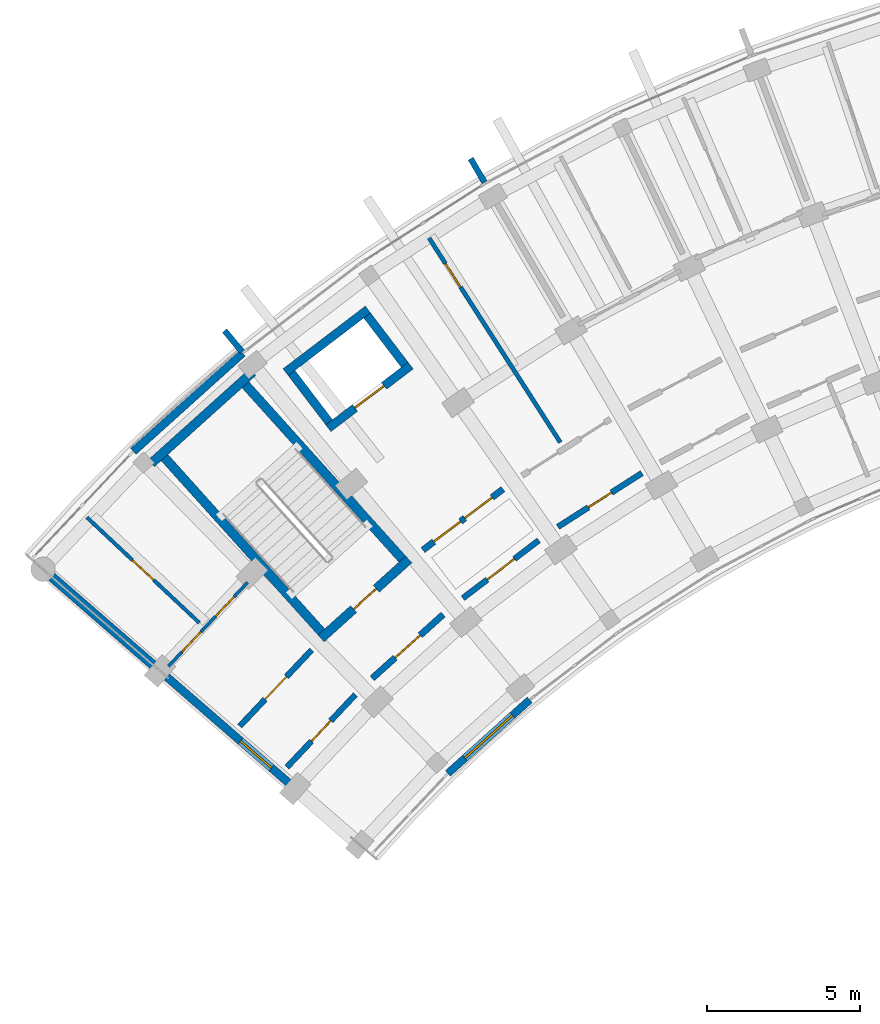
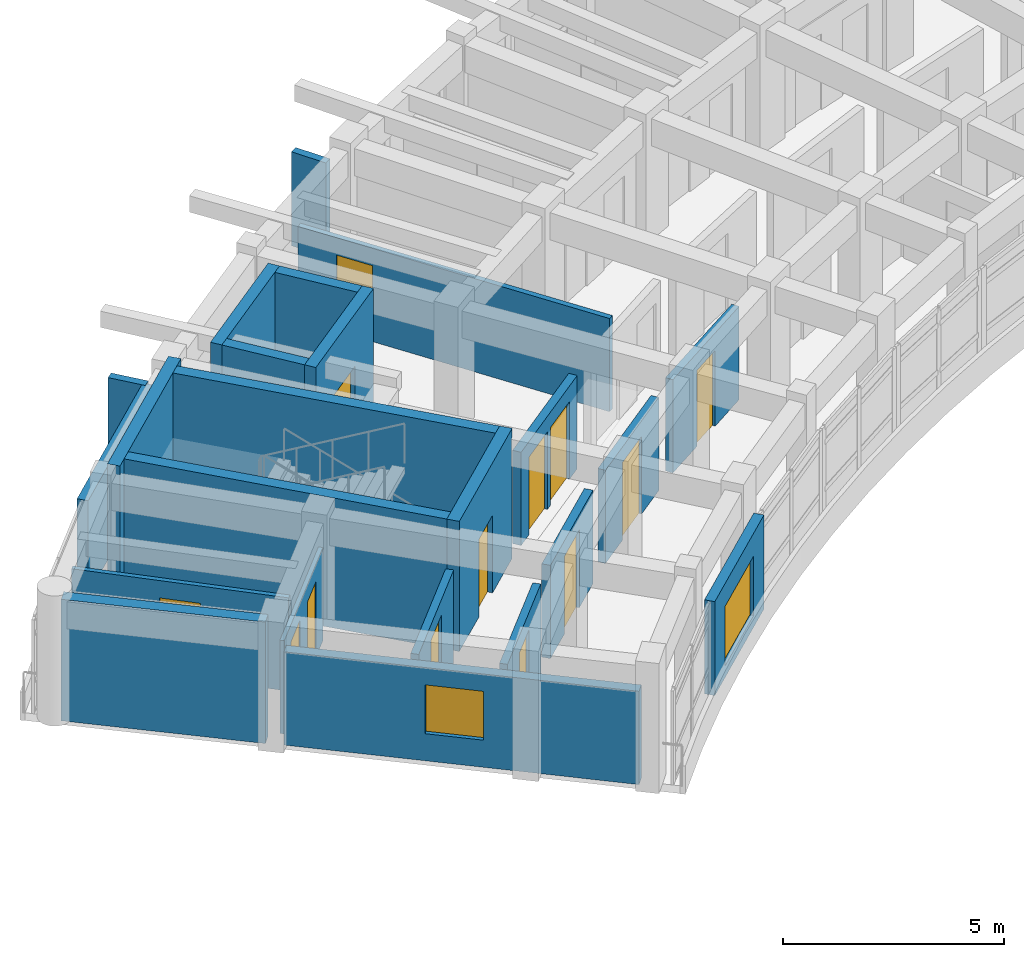
# One storey, part 59 of 83: 23 walls, 13 doors, 2 windows, 15 openings.
"""IFC4 building model written with IfcOpenShell, lengths in metres."""

from ifc_helpers import new_model, si_unit, direction, frame, frame_2d, origin, place, context, subcontext, project, spatial, rectangle, extrude, material, layer, layer_set, type_object, element, fill, save


model = new_model("IFC4")

# Units and contexts
model_context = context("Model", 3, precision=1e-05, world=origin(), true_north=direction((0.0, 1.0)))
body_context = subcontext(model_context, "Body", "Model", "MODEL_VIEW")
ifc_project = project(units=[si_unit("LENGTHUNIT", "METRE"), si_unit("AREAUNIT", "SQUARE_METRE"), si_unit("VOLUMEUNIT", "CUBIC_METRE"), si_unit("PLANEANGLEUNIT", "RADIAN"), si_unit("MASSUNIT", "GRAM", prefix="KILO")], contexts=[model_context])

# Site, building, storey
site_placement = place(None, origin())
site = spatial("IfcSite", under=ifc_project, at=site_placement, CompositionType="ELEMENT")
building_placement = place(site_placement, origin())
building = spatial("IfcBuilding", under=site, at=building_placement, Name="Zimvara Arc Housing Community", CompositionType="ELEMENT")
storey_placement = place(building_placement, frame((0.0, 0.0, 4.5)))
storey = spatial("IfcBuildingStorey", under=building, at=storey_placement, Name="L01", CompositionType="ELEMENT", Elevation=4.5)

# Wall
ifc_material_1 = material(Name="Board-Marked Fair-Faced Concrete C35/45", Category="concrete")
ifc_layer_1 = layer(ifc_material_1, 0.264892578125)
ifc_layer_set_1 = layer_set([ifc_layer_1], Name="Board-Marked Fair-Faced Concrete C35/45")
wall_type_1 = type_object("IfcWallType", Name="EWL-CONC-265", PredefinedType="SOLIDWALL", material=ifc_layer_set_1)
wall_1_placement = place(storey_placement, frame((3.528076171875, 86.996826171875, 0.0), z_axis=(0.0, 0.0, 1.0), x_axis=(0.743387539862, 0.668860946369, 0.0)))
element("IfcWall", 1, at=wall_1_placement, inside=storey, type_object=wall_type_1, Name="ewall:blkA:L01:out:b1", PredefinedType="SOLIDWALL", context=body_context, shape_type="SweptSolid", body=[
    extrude(rectangle(XDim=4.80908203125, YDim=0.264892578125, at=frame_2d((2.404541015625, 0.0))), origin(), (0.0, 0.0, 1.0), 2.60009765625),
])

# Wall, opening, window
wall_2_placement = place(storey_placement, frame((10.766357421875, 74.2587890625, 0.0), z_axis=(0.0, 0.0, 1.0), x_axis=(-0.754717680958, 0.656049710044, 0.0)))
wall_2 = element("IfcWall", 2, at=wall_2_placement, inside=storey, type_object=wall_type_1, Name="ewall:blkA:L01:g0", PredefinedType="SOLIDWALL", context=body_context, shape_type="SweptSolid", body=[
    extrude(rectangle(XDim=8.199951171875, YDim=0.264892578125, at=frame_2d((4.10009765625, 0.0))), origin(), (0.0, 0.0, 1.0), 2.580078125),
])
opening_1_placement = place(wall_2_placement, frame((3.590087890625, 0.0, 0.75)))
opening_1 = element("IfcOpeningElement", 3, at=opening_1_placement, cuts=wall_2, Name="Opening W12", PredefinedType="OPENING", context=body_context, shape_type="SweptSolid", body=[
    extrude(rectangle(XDim=1.35009765625, YDim=1.35009765625, at=frame_2d((0.675048828125, 0.675048828125))), frame((0.0, 0.142333984375, 0.0), z_axis=(0.0, -1.0, 0.0), x_axis=(1.0, 0.0, 0.0)), (0.0, 0.0, 1.0), 0.284912109375),
])
ifc_material_2 = material(Name="Solar Control Low-E Double Glazing", Category="glass")
window_type_1 = type_object("IfcWindowType", Name="WIN-RES-1350x1350", PartitioningType="DOUBLE_PANEL_VERTICAL", PredefinedType="WINDOW", material=ifc_material_2)
window_1_placement = place(opening_1_placement, origin())
window_1 = element("IfcWindow", 4, at=window_1_placement, inside=storey, type_object=window_type_1, Name="win:blkA:L01:g0:w", OverallHeight=1.35009765625, OverallWidth=1.35009765625, PartitioningType="DOUBLE_PANEL_VERTICAL", PredefinedType="WINDOW", context=body_context, shape_type="SweptSolid", body=[
    extrude(rectangle(XDim=1.35009765625, YDim=1.35009765625, at=frame_2d((0.675048828125, 0.675048828125))), frame((0.0, 0.030029296875, 0.0), z_axis=(0.0, -1.0, 0.0), x_axis=(1.0, 0.0, 0.0)), (0.0, 0.0, 1.0), 0.06005859375),
])
fill(opening_1, window_1)

# Walls
ifc_material_3 = material(Name="Board-Marked Fair-Faced Concrete C35/45", Category="concrete")
ifc_layer_2 = layer(ifc_material_3, 0.195068359375)
ifc_layer_set_2 = layer_set([ifc_layer_2], Name="Board-Marked Fair-Faced Concrete C35/45")
wall_type_2 = type_object("IfcWallType", Name="EWL-PARA-195", PredefinedType="PARAPET", material=ifc_layer_set_2)
wall_3_placement = place(storey_placement, frame((7.09228515625, 90.25732421875, 0.0), z_axis=(0.0, 0.0, 1.0), x_axis=(-0.637967316825, 0.770063440674, 0.0)))
element("IfcWall", 5, at=wall_3_placement, inside=storey, type_object=wall_type_2, Name="finwall:blkA:L01:out:b2", PredefinedType="PARAPET", context=body_context, shape_type="SweptSolid", body=[
    extrude(rectangle(XDim=0.900146484375, YDim=0.195068359375, at=frame_2d((0.4501953125, 0.0))), origin(), (0.0, 0.0, 1.0), 2.60009765625),
])
wall_4_placement = place(storey_placement, frame((15.038818359375, 95.8134765625, 0.0), z_axis=(0.0, 0.0, 1.0), x_axis=(-0.504326383773, 0.863513114336, 0.0)))
element("IfcWall", 6, at=wall_4_placement, inside=storey, type_object=wall_type_2, Name="finwall:blkA:L01:out:b4", PredefinedType="PARAPET", context=body_context, shape_type="SweptSolid", body=[
    extrude(rectangle(XDim=0.89990234375, YDim=0.195068359375, at=frame_2d((0.449951171875, 0.0))), origin(), (0.0, 0.0, 1.0), 2.60009765625),
])

# Wall, opening, window
ifc_material_4 = material(Name="Pigmented Fair-Faced Concrete C35/45", Category="concrete")
ifc_layer_3 = layer(ifc_material_4, 0.2451171875)
ifc_layer_set_3 = layer_set([ifc_layer_3], Name="Pigmented Fair-Faced Concrete C35/45")
wall_type_3 = type_object("IfcWallType", Name="EWL-PIGM-245", PredefinedType="SOLIDWALL", material=ifc_layer_set_3)
wall_5_placement = place(storey_placement, frame((13.84033203125, 76.436767578125, 0.0), z_axis=(0.0, 0.0, 1.0), x_axis=(0.743385092197, 0.668863666751, 0.0)))
wall_5 = element("IfcWall", 7, at=wall_5_placement, inside=storey, type_object=wall_type_3, Name="ewall:blkA:L01:in:b1", PredefinedType="SOLIDWALL", context=body_context, shape_type="SweptSolid", body=[
    extrude(rectangle(XDim=3.603759765625, YDim=0.2451171875, at=frame_2d((1.8017578125, 0.0))), origin(), (0.0, 0.0, 1.0), 2.60009765625),
])
opening_2_placement = place(wall_5_placement, frame((0.751708984375, 0.0, 0.320068359375)))
opening_2 = element("IfcOpeningElement", 8, at=opening_2_placement, cuts=wall_5, Name="Opening W09", PredefinedType="OPENING", context=body_context, shape_type="SweptSolid", body=[
    extrude(rectangle(XDim=2.10009765625, YDim=1.64990234375, at=frame_2d((1.050048828125, 0.824951171875))), frame((0.0, 0.132568359375, 0.0), z_axis=(0.0, -1.0, 0.0), x_axis=(1.0, 0.0, 0.0)), (0.0, 0.0, 1.0), 0.26513671875),
])
ifc_material_5 = material(Name="Solar Control Low-E Double Glazing", Category="glass")
window_type_2 = type_object("IfcWindowType", Name="WIN-RES-2100x1650", PartitioningType="TRIPLE_PANEL_VERTICAL", PredefinedType="WINDOW", material=ifc_material_5)
window_2_placement = place(opening_2_placement, origin())
window_2 = element("IfcWindow", 9, at=window_2_placement, inside=storey, type_object=window_type_2, Name="win:blkA:L01:in:b1", OverallHeight=1.64990234375, OverallWidth=2.10009765625, PartitioningType="TRIPLE_PANEL_VERTICAL", PredefinedType="WINDOW", context=body_context, shape_type="SweptSolid", body=[
    extrude(rectangle(XDim=2.10009765625, YDim=1.64990234375, at=frame_2d((1.050048828125, 0.824951171875))), frame((0.0, 0.030029296875, 0.0), z_axis=(0.0, -1.0, 0.0), x_axis=(1.0, 0.0, 0.0)), (0.0, 0.0, 1.0), 0.06005859375),
])
fill(opening_2, window_2)

# Wall, opening, door
ifc_material_6 = material(Name="Concrete C35/45", Category="concrete")
ifc_layer_4 = layer(ifc_material_6, 0.2099609375)
ifc_layer_set_4 = layer_set([ifc_layer_4], Name="Concrete C35/45")
wall_type_4 = type_object("IfcWallType", Name="IWL-CCF-210", PredefinedType="SOLIDWALL", material=ifc_layer_set_4)
wall_6_placement = place(storey_placement, frame((11.357177734375, 79.5517578125, 0.0), z_axis=(0.0, 0.0, 1.0), x_axis=(0.743387266925, 0.668861249718, 0.0)))
wall_6 = element("IfcWall", 10, at=wall_6_placement, inside=storey, type_object=wall_type_4, Name="iwall:blkA:L01:ccf_div:b1", PredefinedType="SOLIDWALL", context=body_context, shape_type="SweptSolid", body=[
    extrude(rectangle(XDim=3.12841796875, YDim=0.2099609375, at=frame_2d((1.564208984375, 0.0))), origin(), (0.0, 0.0, 1.0), 2.580078125),
])
opening_3_placement = place(wall_6_placement, frame((1.014404296875, 0.0, 0.0)))
opening_3 = element("IfcOpeningElement", 11, at=opening_3_placement, cuts=wall_6, Name="Opening FD-CCF1", PredefinedType="OPENING", context=body_context, shape_type="SweptSolid", body=[
    extrude(rectangle(XDim=1.10009765625, YDim=2.14990234375, at=frame_2d((0.550048828125, 1.074951171875))), frame((0.0, 0.114990234375, 0.0), z_axis=(0.0, -1.0, 0.0), x_axis=(1.0, 0.0, 0.0)), (0.0, 0.0, 1.0), 0.22998046875),
])
ifc_material_7 = material(Name="Anodised Aluminium AW-6063", Category="aluminium")
door_type_1 = type_object("IfcDoorType", Name="IDR-CCF-1100x2150", OperationType="NOTDEFINED", PredefinedType="DOOR", material=ifc_material_7)
door_1_placement = place(opening_3_placement, origin())
door_1 = element("IfcDoor", 12, at=door_1_placement, inside=storey, type_object=door_type_1, Name="idoor:blkA:L01:ccf_in:b1", OperationType="SINGLE_SWING_RIGHT", OverallHeight=2.14990234375, OverallWidth=1.10009765625, PredefinedType="DOOR", context=body_context, shape_type="SweptSolid", body=[
    extrude(rectangle(XDim=1.10009765625, YDim=2.14990234375, at=frame_2d((0.550048828125, 1.074951171875))), frame((0.0, 0.02490234375, 0.0), z_axis=(0.0, -1.0, 0.0), x_axis=(1.0, 0.0, 0.0)), (0.0, 0.0, 1.0), 0.050048828125),
])
fill(opening_3, door_1)

# Wall, openings, doors
wall_7_placement = place(storey_placement, frame((13.021240234375, 83.758544921875, 0.0), z_axis=(0.0, 0.0, 1.0), x_axis=(0.795498026433, 0.605956178235, 0.0)))
wall_7 = element("IfcWall", 13, at=wall_7_placement, inside=storey, type_object=wall_type_4, Name="iwall:blkA:L01:ll_div:b2", PredefinedType="SOLIDWALL", context=body_context, shape_type="SweptSolid", body=[
    extrude(rectangle(XDim=3.296142578125, YDim=0.2099609375, at=frame_2d((1.64794921875, 0.0))), origin(), (0.0, 0.0, 1.0), 2.580078125),
])
opening_4_placement = place(wall_7_placement, frame((0.449951171875, 0.0, 0.0)))
opening_4 = element("IfcOpeningElement", 14, at=opening_4_placement, cuts=wall_7, Name="Opening FD-CCF1", PredefinedType="OPENING", context=body_context, shape_type="SweptSolid", body=[
    extrude(rectangle(XDim=1.10009765625, YDim=2.14990234375, at=frame_2d((0.550048828125, 1.074951171875))), frame((0.0, 0.114990234375, 0.0), z_axis=(0.0, -1.0, 0.0), x_axis=(1.0, 0.0, 0.0)), (0.0, 0.0, 1.0), 0.22998046875),
])
opening_5_placement = place(wall_7_placement, frame((1.72607421875, 0.0, 0.0)))
opening_5 = element("IfcOpeningElement", 15, at=opening_5_placement, cuts=wall_7, Name="Opening D07", PredefinedType="OPENING", context=body_context, shape_type="SweptSolid", body=[
    extrude(rectangle(XDim=1.1201171875, YDim=2.14990234375, at=frame_2d((0.56005859375, 1.074951171875))), frame((0.0, 0.114990234375, 0.0), z_axis=(0.0, -1.0, 0.0), x_axis=(1.0, 0.0, 0.0)), (0.0, 0.0, 1.0), 0.22998046875),
])
ifc_material_8 = material(Name="Mozambican Hardwood", Category="wood")
door_type_2 = type_object("IfcDoorType", Name="IDR-AMN-1120x2150", OperationType="NOTDEFINED", PredefinedType="DOOR", material=ifc_material_8)
door_2_placement = place(opening_5_placement, origin())
door_2 = element("IfcDoor", 16, at=door_2_placement, inside=storey, type_object=door_type_2, Name="idoor:blkA:L01:rs_in:b2", OperationType="SINGLE_SWING_RIGHT", OverallHeight=2.14990234375, OverallWidth=1.1201171875, PredefinedType="DOOR", context=body_context, shape_type="SweptSolid", body=[
    extrude(rectangle(XDim=1.1201171875, YDim=2.14990234375, at=frame_2d((0.56005859375, 1.074951171875))), frame((0.0, 0.02490234375, 0.0), z_axis=(0.0, -1.0, 0.0), x_axis=(1.0, 0.0, 0.0)), (0.0, 0.0, 1.0), 0.050048828125),
])
fill(opening_5, door_2)
door_3_placement = place(opening_4_placement, origin())
door_3 = element("IfcDoor", 17, at=door_3_placement, inside=storey, type_object=door_type_1, Name="idoor:blkA:L01:ll_in:b2", OperationType="SINGLE_SWING_LEFT", OverallHeight=2.14990234375, OverallWidth=1.10009765625, PredefinedType="DOOR", context=body_context, shape_type="SweptSolid", body=[
    extrude(rectangle(XDim=1.10009765625, YDim=2.14990234375, at=frame_2d((0.550048828125, 1.074951171875))), frame((0.0, 0.02490234375, 0.0), z_axis=(0.0, -1.0, 0.0), x_axis=(1.0, 0.0, 0.0)), (0.0, 0.0, 1.0), 0.050048828125),
])
fill(opening_4, door_3)

# Wall, opening, door
ifc_material_9 = material(Name="Concrete C35/45", Category="concrete")
ifc_layer_5 = layer(ifc_material_9, 0.18994140625)
ifc_layer_set_5 = layer_set([ifc_layer_5], Name="Concrete C35/45")
wall_type_5 = type_object("IfcWallType", Name="IWL-CORR-190", PredefinedType="SOLIDWALL", material=ifc_layer_set_5)
wall_8_placement = place(storey_placement, frame((7.01416015625, 77.98388671875, 0.0), z_axis=(0.0, 0.0, 1.0), x_axis=(0.686310507227, 0.727308660522, 0.0)))
wall_8 = element("IfcWall", 18, at=wall_8_placement, inside=storey, type_object=wall_type_5, Name="iwall:blkA:L01:corr_out:b0", PredefinedType="SOLIDWALL", context=body_context, shape_type="SweptSolid", body=[
    extrude(rectangle(XDim=3.43603515625, YDim=0.18994140625, at=frame_2d((1.718017578125, 0.0))), origin(), (0.0, 0.0, 1.0), 2.580078125),
])
opening_6_placement = place(wall_8_placement, frame((1.2080078125, 0.0, 0.0)))
opening_6 = element("IfcOpeningElement", 19, at=opening_6_placement, cuts=wall_8, Name="Opening FD-FL2", PredefinedType="OPENING", context=body_context, shape_type="SweptSolid", body=[
    extrude(rectangle(XDim=1.02001953125, YDim=2.14990234375, at=frame_2d((0.510009765625, 1.074951171875))), frame((0.0, 0.10498046875, 0.0), z_axis=(0.0, -1.0, 0.0), x_axis=(1.0, 0.0, 0.0)), (0.0, 0.0, 1.0), 0.2099609375),
])
ifc_material_10 = material(Name="Mozambican Hardwood", Category="wood")
door_type_3 = type_object("IfcDoorType", Name="IDR-FLAT-1020x2150", OperationType="NOTDEFINED", PredefinedType="DOOR", material=ifc_material_10)
door_4_placement = place(opening_6_placement, origin())
door_4 = element("IfcDoor", 20, at=door_4_placement, inside=storey, type_object=door_type_3, Name="idoor:blkA:L01:flat:b0", OperationType="SINGLE_SWING_LEFT", OverallHeight=2.14990234375, OverallWidth=1.02001953125, PredefinedType="DOOR", context=body_context, shape_type="SweptSolid", body=[
    extrude(rectangle(XDim=1.02001953125, YDim=2.14990234375, at=frame_2d((0.510009765625, 1.074951171875))), frame((0.0, 0.02490234375, 0.0), z_axis=(0.0, -1.0, 0.0), x_axis=(1.0, 0.0, 0.0)), (0.0, 0.0, 1.0), 0.050048828125),
])
fill(opening_6, door_4)

wall_9_placement = place(storey_placement, frame((8.561279296875, 76.638916015625, 0.0), z_axis=(0.0, 0.0, 1.0), x_axis=(0.686307658735, 0.727311348434, 0.0)))
wall_9 = element("IfcWall", 21, at=wall_9_placement, inside=storey, type_object=wall_type_5, Name="iwall:blkA:L01:corr_in:b0", PredefinedType="SOLIDWALL", context=body_context, shape_type="SweptSolid", body=[
    extrude(rectangle(XDim=3.268798828125, YDim=0.18994140625, at=frame_2d((1.63427734375, 0.0))), origin(), (0.0, 0.0, 1.0), 2.580078125),
])
opening_7_placement = place(wall_9_placement, frame((1.17431640625, 0.0, 0.0)))
opening_7 = element("IfcOpeningElement", 22, at=opening_7_placement, cuts=wall_9, Name="Opening D02", PredefinedType="OPENING", context=body_context, shape_type="SweptSolid", body=[
    extrude(rectangle(XDim=0.919921875, YDim=2.10009765625, at=frame_2d((0.4599609375, 1.050048828125))), frame((0.0, 0.10498046875, 0.0), z_axis=(0.0, -1.0, 0.0), x_axis=(1.0, 0.0, 0.0)), (0.0, 0.0, 1.0), 0.2099609375),
])
ifc_material_11 = material(Name="Mozambican Hardwood", Category="wood")
door_type_4 = type_object("IfcDoorType", Name="IDR-RM-0920x2100", OperationType="NOTDEFINED", PredefinedType="DOOR", material=ifc_material_11)
door_5_placement = place(opening_7_placement, origin())
door_5 = element("IfcDoor", 23, at=door_5_placement, inside=storey, type_object=door_type_4, Name="idoor:blkA:L01:in_rm:b0", OperationType="SINGLE_SWING_RIGHT", OverallHeight=2.10009765625, OverallWidth=0.919921875, PredefinedType="DOOR", context=body_context, shape_type="SweptSolid", body=[
    extrude(rectangle(XDim=0.919921875, YDim=2.10009765625, at=frame_2d((0.4599609375, 1.050048828125))), frame((0.0, 0.02490234375, 0.0), z_axis=(0.0, -1.0, 0.0), x_axis=(1.0, 0.0, 0.0)), (0.0, 0.0, 1.0), 0.050048828125),
])
fill(opening_7, door_5)

wall_10_placement = place(storey_placement, frame((14.3291015625, 82.179931640625, 0.0), z_axis=(0.0, 0.0, 1.0), x_axis=(0.795501577908, 0.605951515838, 0.0)))
wall_10 = element("IfcWall", 24, at=wall_10_placement, inside=storey, type_object=wall_type_5, Name="iwall:blkA:L01:ra_div:b2", PredefinedType="SOLIDWALL", context=body_context, shape_type="SweptSolid", body=[
    extrude(rectangle(XDim=3.128662109375, YDim=0.18994140625, at=frame_2d((1.564453125, 0.0))), origin(), (0.0, 0.0, 1.0), 2.580078125),
])
opening_8_placement = place(wall_10_placement, frame((1.00439453125, 0.0, 0.0)))
opening_8 = element("IfcOpeningElement", 25, at=opening_8_placement, cuts=wall_10, Name="Opening D07", PredefinedType="OPENING", context=body_context, shape_type="SweptSolid", body=[
    extrude(rectangle(XDim=1.1201171875, YDim=2.14990234375, at=frame_2d((0.56005859375, 1.074951171875))), frame((0.0, 0.10498046875, 0.0), z_axis=(0.0, -1.0, 0.0), x_axis=(1.0, 0.0, 0.0)), (0.0, 0.0, 1.0), 0.2099609375),
])
door_6_placement = place(opening_8_placement, origin())
door_6 = element("IfcDoor", 26, at=door_6_placement, inside=storey, type_object=door_type_2, Name="idoor:blkA:L01:ra_d:b2", OperationType="SINGLE_SWING_LEFT", OverallHeight=2.14990234375, OverallWidth=1.1201171875, PredefinedType="DOOR", context=body_context, shape_type="SweptSolid", body=[
    extrude(rectangle(XDim=1.1201171875, YDim=2.14990234375, at=frame_2d((0.56005859375, 1.074951171875))), frame((0.0, 0.02490234375, 0.0), z_axis=(0.0, -1.0, 0.0), x_axis=(1.0, 0.0, 0.0)), (0.0, 0.0, 1.0), 0.050048828125),
])
fill(opening_8, door_6)

wall_11_placement = place(storey_placement, frame((17.44677734375, 84.518798828125, 0.0), z_axis=(0.0, 0.0, 1.0), x_axis=(0.842225276846, 0.539125758095, 0.0)))
wall_11 = element("IfcWall", 27, at=wall_11_placement, inside=storey, type_object=wall_type_5, Name="iwall:blkA:L01:corr_in:b3", PredefinedType="SOLIDWALL", context=body_context, shape_type="SweptSolid", body=[
    extrude(rectangle(XDim=3.2685546875, YDim=0.18994140625, at=frame_2d((1.63427734375, 0.0))), origin(), (0.0, 0.0, 1.0), 2.580078125),
])
opening_9_placement = place(wall_11_placement, frame((1.184326171875, 0.0, 0.0)))
opening_9 = element("IfcOpeningElement", 28, at=opening_9_placement, cuts=wall_11, Name="Opening D01", PredefinedType="OPENING", context=body_context, shape_type="SweptSolid", body=[
    extrude(rectangle(XDim=0.89990234375, YDim=2.10009765625, at=frame_2d((0.449951171875, 1.050048828125))), frame((0.0, 0.10498046875, 0.0), z_axis=(0.0, -1.0, 0.0), x_axis=(1.0, 0.0, 0.0)), (0.0, 0.0, 1.0), 0.2099609375),
])
ifc_material_12 = material(Name="Mozambican Hardwood", Category="wood")
door_type_5 = type_object("IfcDoorType", Name="IDR-RM-0900x2100", OperationType="NOTDEFINED", PredefinedType="DOOR", material=ifc_material_12)
door_7_placement = place(opening_9_placement, origin())
door_7 = element("IfcDoor", 29, at=door_7_placement, inside=storey, type_object=door_type_5, Name="idoor:blkA:L01:in_rm:b3", OperationType="SINGLE_SWING_RIGHT", OverallHeight=2.10009765625, OverallWidth=0.89990234375, PredefinedType="DOOR", context=body_context, shape_type="SweptSolid", body=[
    extrude(rectangle(XDim=0.89990234375, YDim=2.10009765625, at=frame_2d((0.449951171875, 1.050048828125))), frame((0.0, 0.02490234375, 0.0), z_axis=(0.0, -1.0, 0.0), x_axis=(1.0, 0.0, 0.0)), (0.0, 0.0, 1.0), 0.050048828125),
])
fill(opening_9, door_7)

# Wall, openings, doors
ifc_material_13 = material(Name="Painted Acoustic Plasterboard")
ifc_layer_6 = layer(ifc_material_13, 0.10498046875)
ifc_layer_set_6 = layer_set([ifc_layer_6], Name="Painted Acoustic Plasterboard")
wall_type_6 = type_object("IfcWallType", Name="IWL-PART-105", PredefinedType="PARTITIONING", material=ifc_layer_set_6)
wall_12_placement = place(storey_placement, frame((4.677978515625, 79.948486328125, 0.0), z_axis=(0.0, 0.0, 1.0), x_axis=(0.686331812627, 0.72728855551, 0.0)))
wall_12 = element("IfcWall", 30, at=wall_12_placement, inside=storey, type_object=wall_type_6, Name="iwall:blkA:L01:srv:b0", PredefinedType="PARTITIONING", context=body_context, shape_type="SweptSolid", body=[
    extrude(rectangle(XDim=3.78515625, YDim=0.10498046875, at=frame_2d((1.892578125, 0.0))), origin(), (0.0, 0.0, 1.0), 2.580078125),
])
opening_10_placement = place(wall_12_placement, frame((0.64990234375, 0.0, 0.0)))
opening_10 = element("IfcOpeningElement", 31, at=opening_10_placement, cuts=wall_12, Name="Opening D01", PredefinedType="OPENING", context=body_context, shape_type="SweptSolid", body=[
    extrude(rectangle(XDim=0.89990234375, YDim=2.10009765625, at=frame_2d((0.449951171875, 1.050048828125))), frame((0.0, 0.0625, 0.0), z_axis=(0.0, -1.0, 0.0), x_axis=(1.0, 0.0, 0.0)), (0.0, 0.0, 1.0), 0.125),
])
opening_11_placement = place(wall_12_placement, frame((2.255126953125, 0.0, 0.0)))
opening_11 = element("IfcOpeningElement", 32, at=opening_11_placement, cuts=wall_12, Name="Opening D05", PredefinedType="OPENING", context=body_context, shape_type="SweptSolid", body=[
    extrude(rectangle(XDim=0.8798828125, YDim=2.10009765625, at=frame_2d((0.43994140625, 1.050048828125))), frame((0.0, 0.0625, 0.0), z_axis=(0.0, -1.0, 0.0), x_axis=(1.0, 0.0, 0.0)), (0.0, 0.0, 1.0), 0.125),
])
door_8_placement = place(opening_10_placement, origin())
door_8 = element("IfcDoor", 33, at=door_8_placement, inside=storey, type_object=door_type_5, Name="idoor:blkA:L01:kit_liv:b0", OperationType="SINGLE_SWING_LEFT", OverallHeight=2.10009765625, OverallWidth=0.89990234375, PredefinedType="DOOR", context=body_context, shape_type="SweptSolid", body=[
    extrude(rectangle(XDim=0.89990234375, YDim=2.10009765625, at=frame_2d((0.449951171875, 1.050048828125))), frame((0.0, 0.02490234375, 0.0), z_axis=(0.0, -1.0, 0.0), x_axis=(1.0, 0.0, 0.0)), (0.0, 0.0, 1.0), 0.050048828125),
])
fill(opening_10, door_8)
ifc_material_14 = material(Name="Mozambican Hardwood", Category="wood")
door_type_6 = type_object("IfcDoorType", Name="IDR-WC-0880x2100", OperationType="NOTDEFINED", PredefinedType="DOOR", material=ifc_material_14)
door_9_placement = place(opening_11_placement, origin())
door_9 = element("IfcDoor", 34, at=door_9_placement, inside=storey, type_object=door_type_6, Name="idoor:blkA:L01:bath_d:b0", OperationType="SINGLE_SWING_RIGHT", OverallHeight=2.10009765625, OverallWidth=0.8798828125, PredefinedType="DOOR", context=body_context, shape_type="SweptSolid", body=[
    extrude(rectangle(XDim=0.8798828125, YDim=2.10009765625, at=frame_2d((0.43994140625, 1.050048828125))), frame((0.0, 0.02490234375, 0.0), z_axis=(0.0, -1.0, 0.0), x_axis=(1.0, 0.0, 0.0)), (0.0, 0.0, 1.0), 0.050048828125),
])
fill(opening_11, door_9)

# Wall, opening, door
ifc_material_15 = material(Name="Painted Acoustic Plasterboard")
ifc_layer_7 = layer(ifc_material_15, 0.1201171875)
ifc_layer_set_7 = layer_set([ifc_layer_7], Name="Painted Acoustic Plasterboard")
wall_type_7 = type_object("IfcWallType", Name="IWL-PART-120", PredefinedType="PARTITIONING", material=ifc_layer_set_7)
wall_13_placement = place(storey_placement, frame((5.6875, 81.37451171875, 0.0), z_axis=(0.0, 0.0, 1.0), x_axis=(-0.72936983679, 0.684119610288, 0.0)))
wall_13 = element("IfcWall", 35, at=wall_13_placement, inside=storey, type_object=wall_type_7, Name="iwall:blkA:L01:bed_div:b0", PredefinedType="PARTITIONING", context=body_context, shape_type="SweptSolid", body=[
    extrude(rectangle(XDim=5.050048828125, YDim=0.1201171875, at=frame_2d((2.52490234375, 0.0))), origin(), (0.0, 0.0, 1.0), 2.580078125),
])
opening_12_placement = place(wall_13_placement, frame((2.044921875, 0.0, 0.0)))
opening_12 = element("IfcOpeningElement", 36, at=opening_12_placement, cuts=wall_13, Name="Opening D04", PredefinedType="OPENING", context=body_context, shape_type="SweptSolid", body=[
    extrude(rectangle(XDim=0.9599609375, YDim=2.10009765625, at=frame_2d((0.47998046875, 1.050048828125))), frame((0.0, 0.070068359375, 0.0), z_axis=(0.0, -1.0, 0.0), x_axis=(1.0, 0.0, 0.0)), (0.0, 0.0, 1.0), 0.14013671875),
])
ifc_material_16 = material(Name="Mozambican Hardwood", Category="wood")
door_type_7 = type_object("IfcDoorType", Name="IDR-RM-0960x2100", OperationType="NOTDEFINED", PredefinedType="DOOR", material=ifc_material_16)
door_10_placement = place(opening_12_placement, origin())
door_10 = element("IfcDoor", 37, at=door_10_placement, inside=storey, type_object=door_type_7, Name="idoor:blkA:L01:bed_d:b0", OperationType="SINGLE_SWING_LEFT", OverallHeight=2.10009765625, OverallWidth=0.9599609375, PredefinedType="DOOR", context=body_context, shape_type="SweptSolid", body=[
    extrude(rectangle(XDim=0.9599609375, YDim=2.10009765625, at=frame_2d((0.47998046875, 1.050048828125))), frame((0.0, 0.02490234375, 0.0), z_axis=(0.0, -1.0, 0.0), x_axis=(1.0, 0.0, 0.0)), (0.0, 0.0, 1.0), 0.050048828125),
])
fill(opening_12, door_10)

ifc_material_17 = material(Name="Painted Acoustic Plasterboard")
ifc_layer_8 = layer(ifc_material_17, 0.139892578125)
ifc_layer_set_8 = layer_set([ifc_layer_8], Name="Painted Acoustic Plasterboard")
wall_type_8 = type_object("IfcWallType", Name="IWL-PART-140", PredefinedType="PARTITIONING", material=ifc_layer_set_8)
wall_14_placement = place(storey_placement, frame((17.52392578125, 87.287841796875, 0.0), z_axis=(0.0, 0.0, 1.0), x_axis=(-0.540338452216, 0.841447774408, 0.0)))
wall_14 = element("IfcWall", 38, at=wall_14_placement, inside=storey, type_object=wall_type_8, Name="iwall:blkA:L01:amen_div:b3", PredefinedType="PARTITIONING", context=body_context, shape_type="SweptSolid", body=[
    extrude(rectangle(XDim=7.949951171875, YDim=0.139892578125, at=frame_2d((3.97509765625, 0.0))), origin(), (0.0, 0.0, 1.0), 2.580078125),
])
opening_13_placement = place(wall_14_placement, frame((6.050048828125, 0.0, 0.0)))
opening_13 = element("IfcOpeningElement", 39, at=opening_13_placement, cuts=wall_14, Name="Opening D02", PredefinedType="OPENING", context=body_context, shape_type="SweptSolid", body=[
    extrude(rectangle(XDim=0.919921875, YDim=2.10009765625, at=frame_2d((0.4599609375, 1.050048828125))), frame((0.0, 0.079833984375, 0.0), z_axis=(0.0, -1.0, 0.0), x_axis=(1.0, 0.0, 0.0)), (0.0, 0.0, 1.0), 0.159912109375),
])
door_11_placement = place(opening_13_placement, origin())
door_11 = element("IfcDoor", 40, at=door_11_placement, inside=storey, type_object=door_type_4, Name="idoor:blkA:L01:laund_d:b3", OperationType="SINGLE_SWING_LEFT", OverallHeight=2.10009765625, OverallWidth=0.919921875, PredefinedType="DOOR", context=body_context, shape_type="SweptSolid", body=[
    extrude(rectangle(XDim=0.919921875, YDim=2.10009765625, at=frame_2d((0.4599609375, 1.050048828125))), frame((0.0, 0.02490234375, 0.0), z_axis=(0.0, -1.0, 0.0), x_axis=(1.0, 0.0, 0.0)), (0.0, 0.0, 1.0), 0.050048828125),
])
fill(opening_13, door_11)

ifc_material_18 = material(Name="Concrete C40/50", Category="concrete")
ifc_layer_9 = layer(ifc_material_18, 0.280029296875)
ifc_layer_set_9 = layer_set([ifc_layer_9], Name="Concrete C40/50")
wall_type_9 = type_object("IfcWallType", Name="WL-CORE-280", PredefinedType="SHEAR", material=ifc_layer_set_9)
wall_15_placement = place(storey_placement, frame((12.615966796875, 89.80712890625, 0.0), z_axis=(0.0, 0.0, 1.0), x_axis=(-0.795474703455, -0.605986795371, 0.0)))
wall_15 = element("IfcWall", 41, at=wall_15_placement, inside=storey, type_object=wall_type_9, Name="lwall:LF-A1:L01:front", PredefinedType="SHEAR", context=body_context, shape_type="SweptSolid", body=[
    extrude(rectangle(XDim=3.389892578125, YDim=0.280029296875, at=frame_2d((1.69482421875, 0.0))), origin(), (0.0, 0.0, 1.0), 3.60009765625),
])
opening_14_placement = place(wall_15_placement, frame((1.094970703125, 0.0, 0.0)))
opening_14 = element("IfcOpeningElement", 42, at=opening_14_placement, cuts=wall_15, Name="Opening LD-LF-A1", PredefinedType="OPENING", context=body_context, shape_type="SweptSolid", body=[
    extrude(rectangle(XDim=1.199951171875, YDim=2.14990234375, at=frame_2d((0.60009765625, 1.074951171875))), frame((0.0, 0.14990234375, 0.0), z_axis=(0.0, -1.0, 0.0), x_axis=(1.0, 0.0, 0.0)), (0.0, 0.0, 1.0), 0.300048828125),
])
ifc_material_19 = material(Name="Anodised Aluminium AW-6063", Category="aluminium")
door_type_8 = type_object("IfcDoorType", Name="IDR-LD-1200x2150", OperationType="DOUBLE_DOOR_SLIDING", PredefinedType="DOOR", material=ifc_material_19)
door_12_placement = place(opening_14_placement, origin())
door_12 = element("IfcDoor", 43, at=door_12_placement, inside=storey, type_object=door_type_8, Name="Lift LF-A1 Sliding Landing Door L01", OperationType="DOUBLE_DOOR_SLIDING", OverallHeight=2.14990234375, OverallWidth=1.199951171875, PredefinedType="DOOR", context=body_context, shape_type="SweptSolid", body=[
    extrude(rectangle(XDim=1.199951171875, YDim=2.14990234375, at=frame_2d((0.60009765625, 1.074951171875))), frame((0.0, 0.02490234375, 0.0), z_axis=(0.0, -1.0, 0.0), x_axis=(1.0, 0.0, 0.0)), (0.0, 0.0, 1.0), 0.050048828125),
])
fill(opening_14, door_12)

# Walls
wall_16_placement = place(storey_placement, frame((11.216064453125, 91.644775390625, 0.0), z_axis=(0.0, 0.0, 1.0), x_axis=(-0.795439986025, -0.606032365994, 0.0)))
element("IfcWall", 44, at=wall_16_placement, inside=storey, type_object=wall_type_9, Name="lwall:LF-A1:L01:back", PredefinedType="SHEAR", context=body_context, shape_type="SweptSolid", body=[
    extrude(rectangle(XDim=3.389892578125, YDim=0.280029296875, at=frame_2d((1.69482421875, 0.0))), origin(), (0.0, 0.0, 1.0), 3.60009765625),
])
wall_17_placement = place(storey_placement, frame((12.419677734375, 89.833740234375, 0.0), z_axis=(0.0, 0.0, 1.0), x_axis=(-0.605948992168, 0.795503500238, 0.0)))
element("IfcWall", 45, at=wall_17_placement, inside=storey, type_object=wall_type_9, Name="lwall:LF-A1:L01:left", PredefinedType="SHEAR", context=body_context, shape_type="SweptSolid", body=[
    extrude(rectangle(XDim=2.02978515625, YDim=0.280029296875, at=frame_2d((1.014892578125, 0.0))), origin(), (0.0, 0.0, 1.0), 3.60009765625),
])
wall_18_placement = place(storey_placement, frame((9.94580078125, 87.948974609375, 0.0), z_axis=(0.0, 0.0, 1.0), x_axis=(-0.605891019062, 0.795547656033, 0.0)))
element("IfcWall", 46, at=wall_18_placement, inside=storey, type_object=wall_type_9, Name="lwall:LF-A1:L01:right", PredefinedType="SHEAR", context=body_context, shape_type="SweptSolid", body=[
    extrude(rectangle(XDim=2.030029296875, YDim=0.280029296875, at=frame_2d((1.01513671875, 0.0))), origin(), (0.0, 0.0, 1.0), 3.60009765625),
])

# Wall, opening, door
ifc_material_20 = material(Name="Concrete C40/50", Category="concrete")
ifc_layer_10 = layer(ifc_material_20, 0.300048828125)
ifc_layer_set_10 = layer_set([ifc_layer_10], Name="Concrete C40/50")
wall_type_10 = type_object("IfcWallType", Name="WL-CORE-300", PredefinedType="SHEAR", material=ifc_layer_set_10)
wall_19_placement = place(storey_placement, frame((12.556884765625, 83.4501953125, 0.0), z_axis=(0.0, 0.0, 1.0), x_axis=(-0.743375696158, -0.668874109501, 0.0)))
wall_19 = element("IfcWall", 47, at=wall_19_placement, inside=storey, type_object=wall_type_10, Name="cwall:ST-A1:L01:near", PredefinedType="SHEAR", context=body_context, shape_type="SweptSolid", body=[
    extrude(rectangle(XDim=3.8701171875, YDim=0.300048828125, at=frame_2d((1.93505859375, 0.0))), origin(), (0.0, 0.0, 1.0), 3.60009765625),
])
opening_15_placement = place(wall_19_placement, frame((1.43505859375, 0.0, 0.0)))
opening_15 = element("IfcOpeningElement", 48, at=opening_15_placement, cuts=wall_19, Name="Opening FD-ST1", PredefinedType="OPENING", context=body_context, shape_type="SweptSolid", body=[
    extrude(rectangle(XDim=1.0, YDim=2.14990234375, at=frame_2d((0.5, 1.074951171875))), frame((0.0, 0.159912109375, 0.0), z_axis=(0.0, -1.0, 0.0), x_axis=(1.0, 0.0, 0.0)), (0.0, 0.0, 1.0), 0.320068359375),
])
ifc_material_21 = material(Name="Anodised Aluminium AW-6063", Category="aluminium")
door_type_9 = type_object("IfcDoorType", Name="IDR-ST-1000x2150", OperationType="NOTDEFINED", PredefinedType="DOOR", material=ifc_material_21)
door_13_placement = place(opening_15_placement, origin())
door_13 = element("IfcDoor", 49, at=door_13_placement, inside=storey, type_object=door_type_9, Name="idoor:ST-A1:L01:entry", OperationType="SINGLE_SWING_LEFT", OverallHeight=2.14990234375, OverallWidth=1.0, PredefinedType="DOOR", context=body_context, shape_type="SweptSolid", body=[
    extrude(rectangle(XDim=1.0, YDim=2.14990234375, at=frame_2d((0.5, 1.074951171875))), frame((0.0, 0.02490234375, 0.0), z_axis=(0.0, -1.0, 0.0), x_axis=(1.0, 0.0, 0.0)), (0.0, 0.0, 1.0), 0.050048828125),
])
fill(opening_15, door_13)

# Walls
wall_20_placement = place(storey_placement, frame((7.435546875, 89.59033203125, 0.0), z_axis=(0.0, 0.0, 1.0), x_axis=(-0.743400052815, -0.668847038922, 0.0)))
element("IfcWall", 50, at=wall_20_placement, inside=storey, type_object=wall_type_10, Name="cwall:ST-A1:L01:far", PredefinedType="SHEAR", context=body_context, shape_type="SweptSolid", body=[
    extrude(rectangle(XDim=4.469970703125, YDim=0.300048828125, at=frame_2d((2.23486328125, 0.0))), origin(), (0.0, 0.0, 1.0), 3.60009765625),
])
wall_21_placement = place(storey_placement, frame((12.344970703125, 83.461181640625, 0.0), z_axis=(0.0, 0.0, 1.0), x_axis=(-0.668868253964, 0.743380964808, 0.0)))
element("IfcWall", 51, at=wall_21_placement, inside=storey, type_object=wall_type_10, Name="cwall:ST-A1:L01:left", PredefinedType="SHEAR", context=body_context, shape_type="SweptSolid", body=[
    extrude(rectangle(XDim=7.68994140625, YDim=0.300048828125, at=frame_2d((3.844970703125, 0.0))), origin(), (0.0, 0.0, 1.0), 3.60009765625),
])
wall_22_placement = place(storey_placement, frame((9.691162109375, 81.073486328125, 0.0), z_axis=(0.0, 0.0, 1.0), x_axis=(-0.668885797871, 0.743365179038, 0.0)))
element("IfcWall", 52, at=wall_22_placement, inside=storey, type_object=wall_type_10, Name="cwall:ST-A1:L01:right", PredefinedType="SHEAR", context=body_context, shape_type="SweptSolid", body=[
    extrude(rectangle(XDim=7.690185546875, YDim=0.300048828125, at=frame_2d((3.84521484375, 0.0))), origin(), (0.0, 0.0, 1.0), 3.60009765625),
])
ifc_material_22 = material(Name="Concrete C40/50", Category="concrete")
ifc_layer_11 = layer(ifc_material_22, 0.31005859375)
ifc_layer_set_11 = layer_set([ifc_layer_11], Name="Concrete C40/50")
wall_type_11 = type_object("IfcWallType", Name="WL-SHEAR-310", PredefinedType="SHEAR", material=ifc_layer_set_11)
wall_23_placement = place(storey_placement, frame((4.2607421875, 79.9140625, 0.0), z_axis=(0.0, 0.0, 1.0), x_axis=(-0.754703505217, 0.65606601742, 0.0)))
element("IfcWall", 53, at=wall_23_placement, inside=storey, type_object=wall_type_11, Name="swall:blkA:L01:west", PredefinedType="SHEAR", context=body_context, shape_type="SweptSolid", body=[
    extrude(rectangle(XDim=4.719970703125, YDim=0.31005859375, at=frame_2d((2.35986328125, 0.0))), origin(), (0.0, 0.0, 1.0), 3.360107421875),
])

save(model, "model.ifc")
